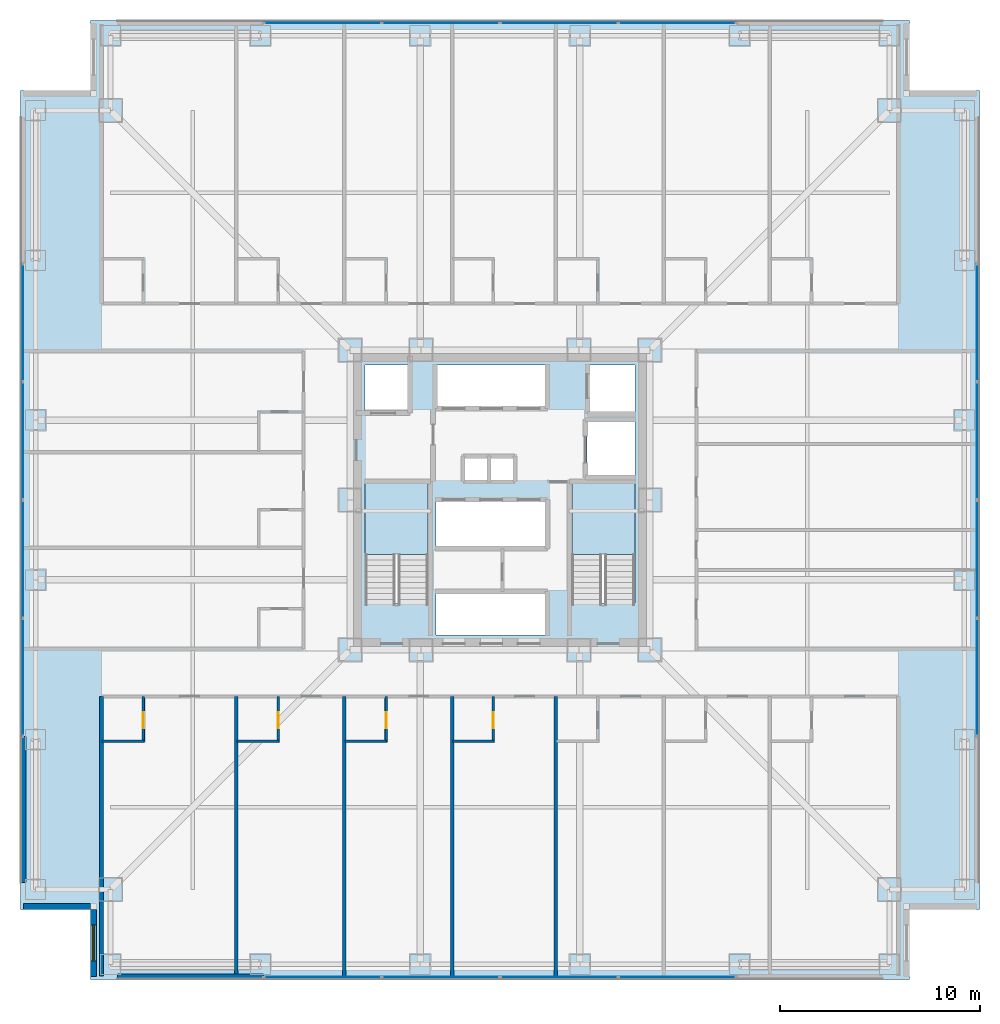
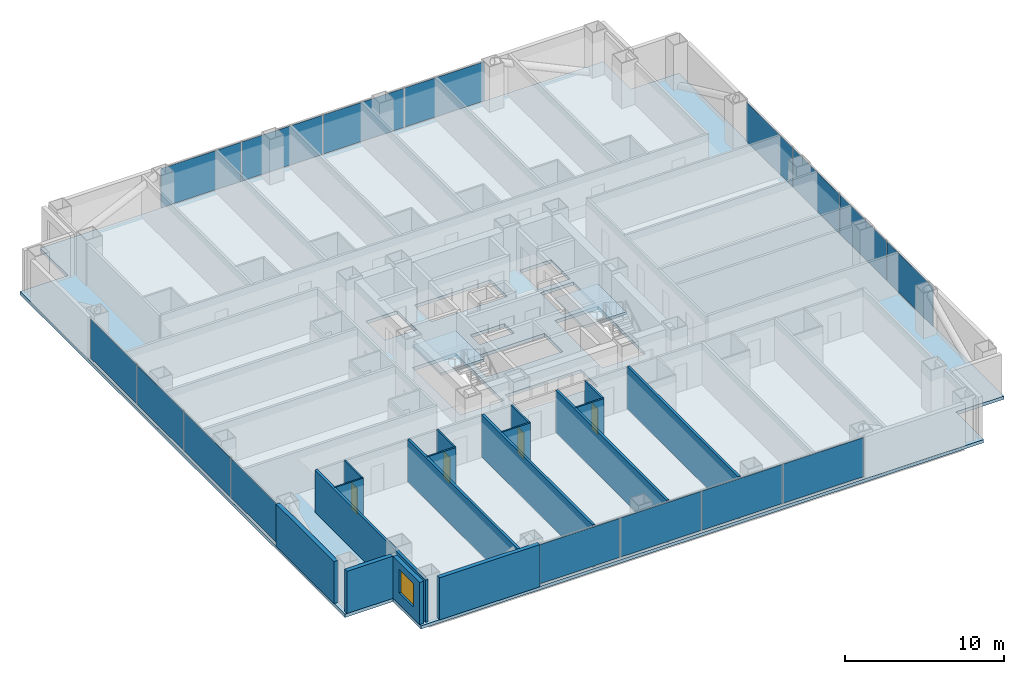
# One storey, part 16 of 23: 17 walls, 16 plates, 4 doors, 3 slabs, 1 window, 5 openings, 6 elements without a shape of their own.
"""IFC4 building model written with IfcOpenShell, lengths in metres."""

from ifc_helpers import new_model, si_unit, direction, frame, frame_2d, origin, origin_2d, place, context, subcontext, project, spatial, polyline, rectangle, outline, extrude, material, layer, layer_set, type_object, element, fill, aggregate, save


model = new_model("IFC4")

# Units and contexts
model_context = context("Model", 3, precision=1e-05, world=origin(), true_north=direction((0.0, 1.0)))
body_context = subcontext(model_context, "Body", "Model", "MODEL_VIEW")
ifc_project = project(units=[si_unit("LENGTHUNIT", "METRE"), si_unit("AREAUNIT", "SQUARE_METRE"), si_unit("VOLUMEUNIT", "CUBIC_METRE"), si_unit("PLANEANGLEUNIT", "RADIAN"), si_unit("MASSUNIT", "GRAM", prefix="KILO")], contexts=[model_context])

# Site, building, storey
site_placement = place(None, origin())
site = spatial("IfcSite", under=ifc_project, at=site_placement, CompositionType="ELEMENT")
building_placement = place(site_placement, origin())
building = spatial("IfcBuilding", under=site, at=building_placement, Name="Trevonay Congress Spire", CompositionType="ELEMENT")
storey_placement = place(building_placement, frame((0.0, 0.0, 34.0)))
storey = spatial("IfcBuildingStorey", under=building, at=storey_placement, Name="L07", CompositionType="ELEMENT", Elevation=34.0)

# Curtain wall, plates
ifc_material_1 = material(Name="Pale Anodised Aluminium EN AW-6063-T6", Category="aluminium")
ifc_layer_1 = layer(ifc_material_1, 0.179931640625, Name="Pale Anodised Aluminium EN AW-6063-T6")
ifc_layer_set_1 = layer_set([ifc_layer_1], Name="Pale Anodised Aluminium EN AW-6063-T6")
curtain_wall_type = type_object("IfcCurtainWallType", Name="CW-SYS02-HOTEL-PALE-METAL", PredefinedType="NOTDEFINED", material=ifc_layer_set_1)
curtain_wall_1_placement = place(storey_placement, origin())
curtain_wall_1 = element("IfcCurtainWall", 1, at=curtain_wall_1_placement, inside=storey, type_object=curtain_wall_type, Name="L07 S unitised curtain wall", PredefinedType="NOTDEFINED")
ifc_material_2 = material(Name="Insulated Low-E Vision Glass IGU", Category="glass")
ifc_layer_2 = layer(ifc_material_2, 0.035888671875, Name="Insulated Low-E Vision Glass IGU")
ifc_layer_set_2 = layer_set([ifc_layer_2], Name="Insulated Low-E Vision Glass IGU")
plate_type = type_object("IfcPlateType", Name="CW-PANEL-IGU36-SILVER", PredefinedType="CURTAIN_PANEL", material=ifc_layer_set_2)
plate_1_placement = place(storey_placement, frame((-8.87255859375, -23.8798828125, 0.1201171875), z_axis=(0.0, 0.0, 1.0), x_axis=(1.0, 0.0, 0.0)))
plate_1 = element("IfcPlate", 2, at=plate_1_placement, type_object=plate_type, Name="CW02 panel 1.1", PredefinedType="CURTAIN_PANEL", context=body_context, shape_type="SweptSolid", body=[
    extrude(rectangle(XDim=5.8349609375, YDim=0.035888671875, at=origin_2d()), origin(), (0.0, 0.0, 1.0), 3.010009765625),
])
plate_2_placement = place(storey_placement, frame((-2.96240234375, -23.8798828125, 0.1201171875), z_axis=(0.0, 0.0, 1.0), x_axis=(1.0, 0.0, 0.0)))
plate_2 = element("IfcPlate", 3, at=plate_2_placement, type_object=plate_type, Name="CW02 panel 2.1", PredefinedType="CURTAIN_PANEL", context=body_context, shape_type="SweptSolid", body=[
    extrude(rectangle(XDim=5.864990234375, YDim=0.035888671875, at=origin_2d()), origin(), (0.0, 0.0, 1.0), 3.010009765625),
])
plate_3_placement = place(storey_placement, frame((2.96240234375, -23.8798828125, 0.1201171875), z_axis=(0.0, 0.0, 1.0), x_axis=(1.0, 0.0, 0.0)))
plate_3 = element("IfcPlate", 4, at=plate_3_placement, type_object=plate_type, Name="CW02 panel 3.1", PredefinedType="CURTAIN_PANEL", context=body_context, shape_type="SweptSolid", body=[
    extrude(rectangle(XDim=5.864990234375, YDim=0.035888671875, at=origin_2d()), origin(), (0.0, 0.0, 1.0), 3.010009765625),
])
plate_4_placement = place(storey_placement, frame((8.87255859375, -23.8798828125, 0.1201171875), z_axis=(0.0, 0.0, 1.0), x_axis=(1.0, 0.0, 0.0)))
plate_4 = element("IfcPlate", 5, at=plate_4_placement, type_object=plate_type, Name="CW02 panel 4.1", PredefinedType="CURTAIN_PANEL", context=body_context, shape_type="SweptSolid", body=[
    extrude(rectangle(XDim=5.8349609375, YDim=0.035888671875, at=origin_2d()), origin(), (0.0, 0.0, 1.0), 3.010009765625),
])
aggregate(curtain_wall_1, [plate_1, plate_2, plate_3, plate_4])

curtain_wall_2_placement = place(storey_placement, origin())
curtain_wall_2 = element("IfcCurtainWall", 6, at=curtain_wall_2_placement, inside=storey, type_object=curtain_wall_type, Name="L07 N unitised curtain wall", PredefinedType="NOTDEFINED")
plate_5_placement = place(storey_placement, frame((-8.87255859375, 23.8798828125, 0.1201171875), z_axis=(0.0, 0.0, 1.0), x_axis=(1.0, 0.0, 0.0)))
plate_5 = element("IfcPlate", 7, at=plate_5_placement, type_object=plate_type, Name="CW02 panel 1.1", PredefinedType="CURTAIN_PANEL", context=body_context, shape_type="SweptSolid", body=[
    extrude(rectangle(XDim=5.8349609375, YDim=0.035888671875, at=origin_2d()), origin(), (0.0, 0.0, 1.0), 3.010009765625),
])
plate_6_placement = place(storey_placement, frame((-2.96240234375, 23.8798828125, 0.1201171875), z_axis=(0.0, 0.0, 1.0), x_axis=(1.0, 0.0, 0.0)))
plate_6 = element("IfcPlate", 8, at=plate_6_placement, type_object=plate_type, Name="CW02 panel 2.1", PredefinedType="CURTAIN_PANEL", context=body_context, shape_type="SweptSolid", body=[
    extrude(rectangle(XDim=5.864990234375, YDim=0.035888671875, at=origin_2d()), origin(), (0.0, 0.0, 1.0), 3.010009765625),
])
plate_7_placement = place(storey_placement, frame((2.96240234375, 23.8798828125, 0.1201171875), z_axis=(0.0, 0.0, 1.0), x_axis=(1.0, 0.0, 0.0)))
plate_7 = element("IfcPlate", 9, at=plate_7_placement, type_object=plate_type, Name="CW02 panel 3.1", PredefinedType="CURTAIN_PANEL", context=body_context, shape_type="SweptSolid", body=[
    extrude(rectangle(XDim=5.864990234375, YDim=0.035888671875, at=origin_2d()), origin(), (0.0, 0.0, 1.0), 3.010009765625),
])
plate_8_placement = place(storey_placement, frame((8.87255859375, 23.8798828125, 0.1201171875), z_axis=(0.0, 0.0, 1.0), x_axis=(1.0, 0.0, 0.0)))
plate_8 = element("IfcPlate", 10, at=plate_8_placement, type_object=plate_type, Name="CW02 panel 4.1", PredefinedType="CURTAIN_PANEL", context=body_context, shape_type="SweptSolid", body=[
    extrude(rectangle(XDim=5.8349609375, YDim=0.035888671875, at=origin_2d()), origin(), (0.0, 0.0, 1.0), 3.010009765625),
])
aggregate(curtain_wall_2, [plate_5, plate_6, plate_7, plate_8])

curtain_wall_3_placement = place(storey_placement, origin())
curtain_wall_3 = element("IfcCurtainWall", 11, at=curtain_wall_3_placement, inside=storey, type_object=curtain_wall_type, Name="L07 W unitised curtain wall", PredefinedType="NOTDEFINED")
plate_9_placement = place(storey_placement, frame((-23.8798828125, -8.87255859375, 0.1201171875), z_axis=(0.0, 0.0, 1.0), x_axis=(0.0, 1.0, 0.0)))
plate_9 = element("IfcPlate", 12, at=plate_9_placement, type_object=plate_type, Name="CW02 panel 1.1", PredefinedType="CURTAIN_PANEL", context=body_context, shape_type="SweptSolid", body=[
    extrude(rectangle(XDim=5.8349609375, YDim=0.035888671875, at=origin_2d()), origin(), (0.0, 0.0, 1.0), 3.010009765625),
])
plate_10_placement = place(storey_placement, frame((-23.8798828125, -2.96240234375, 0.1201171875), z_axis=(0.0, 0.0, 1.0), x_axis=(0.0, 1.0, 0.0)))
plate_10 = element("IfcPlate", 13, at=plate_10_placement, type_object=plate_type, Name="CW02 panel 2.1", PredefinedType="CURTAIN_PANEL", context=body_context, shape_type="SweptSolid", body=[
    extrude(rectangle(XDim=5.864990234375, YDim=0.035888671875, at=origin_2d()), origin(), (0.0, 0.0, 1.0), 3.010009765625),
])
plate_11_placement = place(storey_placement, frame((-23.8798828125, 2.96240234375, 0.1201171875), z_axis=(0.0, 0.0, 1.0), x_axis=(0.0, 1.0, 0.0)))
plate_11 = element("IfcPlate", 14, at=plate_11_placement, type_object=plate_type, Name="CW02 panel 3.1", PredefinedType="CURTAIN_PANEL", context=body_context, shape_type="SweptSolid", body=[
    extrude(rectangle(XDim=5.864990234375, YDim=0.035888671875, at=origin_2d()), origin(), (0.0, 0.0, 1.0), 3.010009765625),
])
plate_12_placement = place(storey_placement, frame((-23.8798828125, 8.87255859375, 0.1201171875), z_axis=(0.0, 0.0, 1.0), x_axis=(0.0, 1.0, 0.0)))
plate_12 = element("IfcPlate", 15, at=plate_12_placement, type_object=plate_type, Name="CW02 panel 4.1", PredefinedType="CURTAIN_PANEL", context=body_context, shape_type="SweptSolid", body=[
    extrude(rectangle(XDim=5.8349609375, YDim=0.035888671875, at=origin_2d()), origin(), (0.0, 0.0, 1.0), 3.010009765625),
])
aggregate(curtain_wall_3, [plate_9, plate_10, plate_11, plate_12])

curtain_wall_4_placement = place(storey_placement, origin())
curtain_wall_4 = element("IfcCurtainWall", 16, at=curtain_wall_4_placement, inside=storey, type_object=curtain_wall_type, Name="L07 E unitised curtain wall", PredefinedType="NOTDEFINED")
plate_13_placement = place(storey_placement, frame((23.8798828125, -8.87255859375, 0.1201171875), z_axis=(0.0, 0.0, 1.0), x_axis=(0.0, 1.0, 0.0)))
plate_13 = element("IfcPlate", 17, at=plate_13_placement, type_object=plate_type, Name="CW02 panel 1.1", PredefinedType="CURTAIN_PANEL", context=body_context, shape_type="SweptSolid", body=[
    extrude(rectangle(XDim=5.8349609375, YDim=0.035888671875, at=origin_2d()), origin(), (0.0, 0.0, 1.0), 3.010009765625),
])
plate_14_placement = place(storey_placement, frame((23.8798828125, -2.96240234375, 0.1201171875), z_axis=(0.0, 0.0, 1.0), x_axis=(0.0, 1.0, 0.0)))
plate_14 = element("IfcPlate", 18, at=plate_14_placement, type_object=plate_type, Name="CW02 panel 2.1", PredefinedType="CURTAIN_PANEL", context=body_context, shape_type="SweptSolid", body=[
    extrude(rectangle(XDim=5.864990234375, YDim=0.035888671875, at=origin_2d()), origin(), (0.0, 0.0, 1.0), 3.010009765625),
])
plate_15_placement = place(storey_placement, frame((23.8798828125, 2.96240234375, 0.1201171875), z_axis=(0.0, 0.0, 1.0), x_axis=(0.0, 1.0, 0.0)))
plate_15 = element("IfcPlate", 19, at=plate_15_placement, type_object=plate_type, Name="CW02 panel 3.1", PredefinedType="CURTAIN_PANEL", context=body_context, shape_type="SweptSolid", body=[
    extrude(rectangle(XDim=5.864990234375, YDim=0.035888671875, at=origin_2d()), origin(), (0.0, 0.0, 1.0), 3.010009765625),
])
plate_16_placement = place(storey_placement, frame((23.8798828125, 8.87255859375, 0.1201171875), z_axis=(0.0, 0.0, 1.0), x_axis=(0.0, 1.0, 0.0)))
plate_16 = element("IfcPlate", 20, at=plate_16_placement, type_object=plate_type, Name="CW02 panel 4.1", PredefinedType="CURTAIN_PANEL", context=body_context, shape_type="SweptSolid", body=[
    extrude(rectangle(XDim=5.8349609375, YDim=0.035888671875, at=origin_2d()), origin(), (0.0, 0.0, 1.0), 3.010009765625),
])
aggregate(curtain_wall_4, [plate_13, plate_14, plate_15, plate_16])

# Stair, slab
ifc_material_3 = material(Name="Concrete C40/50", Category="concrete")
stair_type_1 = type_object("IfcStairType", Name="STR-ST-1", PredefinedType="HALF_TURN_STAIR", material=ifc_material_3)
stair_1_placement = place(storey_placement, origin())
stair_1 = element("IfcStair", 21, at=stair_1_placement, inside=storey, type_object=stair_type_1, Name="L07 Protected Exit Stair ST-1", PredefinedType="HALF_TURN_STAIR")
ifc_layer_3 = layer(ifc_material_3, 0.199951171875, Name="Concrete C40/50")
ifc_layer_set_3 = layer_set([ifc_layer_3], Name="Concrete C40/50")
slab_type_1 = type_object("IfcSlabType", Name="SLB-STAIR-LAND-200", PredefinedType="LANDING", material=ifc_layer_set_3)
slab_1_placement = place(storey_placement, frame((0.0, 0.0, 1.550048828125)))
slab_1 = element("IfcSlab", 22, at=slab_1_placement, type_object=slab_type_1, Name="ST-1 landing 1", PredefinedType="LANDING", context=body_context, shape_type="SweptSolid", body=[
    extrude(outline(polyline([(-3.60009765625, -2.72998046875), (-3.60009765625, 0.85009765625), (-6.75, 0.85009765625), (-6.75, -2.72998046875), (-3.60009765625, -2.72998046875)])), origin(), (0.0, 0.0, 1.0), 0.199951171875),
])
aggregate(stair_1, [slab_1])

stair_type_2 = type_object("IfcStairType", Name="STR-ST-2", PredefinedType="HALF_TURN_STAIR", material=ifc_material_3)
stair_2_placement = place(storey_placement, origin())
stair_2 = element("IfcStair", 23, at=stair_2_placement, inside=storey, type_object=stair_type_2, Name="L07 Protected Exit Stair ST-2", PredefinedType="HALF_TURN_STAIR")
slab_2_placement = place(storey_placement, frame((0.0, 0.0, 1.550048828125)))
slab_2 = element("IfcSlab", 24, at=slab_2_placement, type_object=slab_type_1, Name="ST-2 landing 1", PredefinedType="LANDING", context=body_context, shape_type="SweptSolid", body=[
    extrude(outline(polyline([(6.75, -2.72998046875), (6.75, 0.85009765625), (3.60009765625, 0.85009765625), (3.60009765625, -2.72998046875), (6.75, -2.72998046875)])), origin(), (0.0, 0.0, 1.0), 0.199951171875),
])
aggregate(stair_2, [slab_2])

# Slab
ifc_layer_4 = layer(ifc_material_3, 0.25, Name="Concrete C40/50")
ifc_layer_set_4 = layer_set([ifc_layer_4], Name="Concrete C40/50")
slab_type_2 = type_object("IfcSlabType", Name="SLB-TOW1-250", PredefinedType="FLOOR", material=ifc_layer_set_4)
slab_3_placement = place(storey_placement, frame((0.0, 0.0, -0.25)))
element("IfcSlab", 25, at=slab_3_placement, inside=storey, type_object=slab_type_2, Name="L07 structural floor slab", PredefinedType="FLOOR", context=body_context, shape_type="SweptSolid", body=[
    extrude(outline(polyline([(-20.5, -24.0), (20.5, -24.0), (20.5, -20.5), (24.0, -20.5), (24.0, 20.5), (20.5, 20.5), (20.5, 24.0), (-20.5, 24.0), (-20.5, 20.5), (-24.0, 20.5), (-24.0, -20.5), (-20.5, -20.5), (-20.5, -24.0)]), holes=[polyline([(-3.60009765625, -5.14990234375), (-3.60009765625, 0.85009765625), (-6.75, 0.85009765625), (-6.75, -5.14990234375), (-3.60009765625, -5.14990234375)]), polyline([(6.75, -5.14990234375), (6.75, 0.85009765625), (3.60009765625, 0.85009765625), (3.60009765625, -5.14990234375), (6.75, -5.14990234375)]), polyline([(-3.199951171875, -6.75), (2.340087890625, -6.75), (2.340087890625, -4.64990234375), (-3.199951171875, -4.64990234375), (-3.199951171875, -6.75)]), polyline([(-3.199951171875, -2.35009765625), (2.340087890625, -2.35009765625), (2.340087890625, -0.050048828125), (-3.199951171875, -0.050048828125), (-3.199951171875, -2.35009765625)]), polyline([(-3.199951171875, 4.64990234375), (2.340087890625, 4.64990234375), (2.340087890625, 6.75), (-3.199951171875, 6.75), (-3.199951171875, 4.64990234375)]), polyline([(-6.75, 4.35009765625), (-4.449951171875, 4.35009765625), (-4.449951171875, 6.75), (-6.75, 6.75), (-6.75, 4.35009765625)]), polyline([(4.449951171875, 4.35009765625), (6.75, 4.35009765625), (6.75, 6.75), (4.449951171875, 6.75), (4.449951171875, 4.35009765625)]), polyline([(4.35009765625, 1.199951171875), (6.75, 1.199951171875), (6.75, 3.949951171875), (4.35009765625, 3.949951171875), (4.35009765625, 1.199951171875)]), polyline([(-1.800048828125, 0.949951171875), (0.699951171875, 0.949951171875), (0.699951171875, 2.14990234375), (-1.800048828125, 2.14990234375), (-1.800048828125, 0.949951171875)])]), origin(), (0.0, 0.0, 1.0), 0.25),
])

# Wall, opening, door
ifc_layer_5 = layer(ifc_material_3, 0.1201171875, Name="Concrete C40/50")
ifc_layer_set_5 = layer_set([ifc_layer_5], Name="Concrete C40/50")
wall_type_1 = type_object("IfcWallType", Name="WAL-BATH-120", PredefinedType="PLUMBINGWALL", material=ifc_layer_set_5)
wall_1_placement = place(storey_placement, frame((-17.85009765625, -12.080078125, 0.0), z_axis=(0.0, 0.0, 1.0), x_axis=(0.0, 1.0, 0.0)))
wall_1 = element("IfcWall", 26, at=wall_1_placement, inside=storey, type_object=wall_type_1, Name="L07 interior wall WH-L07S-BS1", PredefinedType="PLUMBINGWALL", context=body_context, shape_type="SweptSolid", body=[
    extrude(rectangle(XDim=2.25, YDim=0.1201171875, at=frame_2d((1.125, 0.0))), origin(), (0.0, 0.0, 1.0), 3.25),
])
opening_1_placement = place(wall_1_placement, frame((0.64990234375, 0.0, 0.0)))
opening_1 = element("IfcOpeningElement", 27, at=opening_1_placement, cuts=wall_1, Name="Opening D11", PredefinedType="OPENING", context=body_context, shape_type="SweptSolid", body=[
    extrude(rectangle(XDim=0.800048828125, YDim=2.050048828125, at=frame_2d((0.39990234375, 1.02490234375))), frame((0.0, 0.070068359375, 0.0), z_axis=(0.0, -1.0, 0.0), x_axis=(1.0, 0.0, 0.0)), (0.0, 0.0, 1.0), 0.14013671875),
])
door_type = type_object("IfcDoorType", Name="DOR-BATH-80", OperationType="NOTDEFINED", PredefinedType="DOOR", material=ifc_material_1)
door_1_placement = place(opening_1_placement, origin())
door_1 = element("IfcDoor", 28, at=door_1_placement, inside=storey, type_object=door_type, Name="L07 En-suite Bathroom Door", OperationType="SINGLE_SWING_LEFT", OverallHeight=2.050048828125, OverallWidth=0.800048828125, PredefinedType="DOOR", context=body_context, shape_type="SweptSolid", body=[
    extrude(rectangle(XDim=0.800048828125, YDim=2.050048828125, at=frame_2d((0.39990234375, 1.02490234375))), frame((0.0, 0.02490234375, 0.0), z_axis=(0.0, -1.0, 0.0), x_axis=(1.0, 0.0, 0.0)), (0.0, 0.0, 1.0), 0.050048828125),
])
fill(opening_1, door_1)

# Wall
wall_2_placement = place(storey_placement, frame((-19.919921875, -12.080078125, 0.0), z_axis=(0.0, 0.0, 1.0), x_axis=(1.0, 0.0, 0.0)))
element("IfcWall", 29, at=wall_2_placement, inside=storey, type_object=wall_type_1, Name="L07 interior wall WH-L07S-BF1", PredefinedType="PLUMBINGWALL", context=body_context, shape_type="SweptSolid", body=[
    extrude(rectangle(XDim=2.099853515625, YDim=0.1201171875, at=frame_2d((1.0498046875, 0.0))), origin(), (0.0, 0.0, 1.0), 3.25),
])

# Wall, opening, door
wall_3_placement = place(storey_placement, frame((-11.10009765625, -12.080078125, 0.0), z_axis=(0.0, 0.0, 1.0), x_axis=(0.0, 1.0, 0.0)))
wall_3 = element("IfcWall", 30, at=wall_3_placement, inside=storey, type_object=wall_type_1, Name="L07 interior wall WH-L07S-BS2", PredefinedType="PLUMBINGWALL", context=body_context, shape_type="SweptSolid", body=[
    extrude(rectangle(XDim=2.25, YDim=0.1201171875, at=frame_2d((1.125, 0.0))), origin(), (0.0, 0.0, 1.0), 3.25),
])
opening_2_placement = place(wall_3_placement, frame((0.64990234375, 0.0, 0.0)))
opening_2 = element("IfcOpeningElement", 31, at=opening_2_placement, cuts=wall_3, Name="Opening D11", PredefinedType="OPENING", context=body_context, shape_type="SweptSolid", body=[
    extrude(rectangle(XDim=0.800048828125, YDim=2.050048828125, at=frame_2d((0.39990234375, 1.02490234375))), frame((0.0, 0.070068359375, 0.0), z_axis=(0.0, -1.0, 0.0), x_axis=(1.0, 0.0, 0.0)), (0.0, 0.0, 1.0), 0.14013671875),
])
door_2_placement = place(opening_2_placement, origin())
door_2 = element("IfcDoor", 32, at=door_2_placement, inside=storey, type_object=door_type, Name="L07 En-suite Bathroom Door", OperationType="SINGLE_SWING_RIGHT", OverallHeight=2.050048828125, OverallWidth=0.800048828125, PredefinedType="DOOR", context=body_context, shape_type="SweptSolid", body=[
    extrude(rectangle(XDim=0.800048828125, YDim=2.050048828125, at=frame_2d((0.39990234375, 1.02490234375))), frame((0.0, 0.02490234375, 0.0), z_axis=(0.0, -1.0, 0.0), x_axis=(1.0, 0.0, 0.0)), (0.0, 0.0, 1.0), 0.050048828125),
])
fill(opening_2, door_2)

# Wall
wall_4_placement = place(storey_placement, frame((-13.169921875, -12.080078125, 0.0), z_axis=(0.0, 0.0, 1.0), x_axis=(1.0, 0.0, 0.0)))
element("IfcWall", 33, at=wall_4_placement, inside=storey, type_object=wall_type_1, Name="L07 interior wall WH-L07S-BF2", PredefinedType="PLUMBINGWALL", context=body_context, shape_type="SweptSolid", body=[
    extrude(rectangle(XDim=2.099853515625, YDim=0.1201171875, at=frame_2d((1.0498046875, 0.0))), origin(), (0.0, 0.0, 1.0), 3.25),
])

# Wall, opening, door
wall_5_placement = place(storey_placement, frame((-5.699951171875, -12.080078125, 0.0), z_axis=(0.0, 0.0, 1.0), x_axis=(0.0, 1.0, 0.0)))
wall_5 = element("IfcWall", 34, at=wall_5_placement, inside=storey, type_object=wall_type_1, Name="L07 interior wall WH-L07S-BS3", PredefinedType="PLUMBINGWALL", context=body_context, shape_type="SweptSolid", body=[
    extrude(rectangle(XDim=2.25, YDim=0.1201171875, at=frame_2d((1.125, 0.0))), origin(), (0.0, 0.0, 1.0), 3.25),
])
opening_3_placement = place(wall_5_placement, frame((0.64990234375, 0.0, 0.0)))
opening_3 = element("IfcOpeningElement", 35, at=opening_3_placement, cuts=wall_5, Name="Opening D11", PredefinedType="OPENING", context=body_context, shape_type="SweptSolid", body=[
    extrude(rectangle(XDim=0.800048828125, YDim=2.050048828125, at=frame_2d((0.39990234375, 1.02490234375))), frame((0.0, 0.070068359375, 0.0), z_axis=(0.0, -1.0, 0.0), x_axis=(1.0, 0.0, 0.0)), (0.0, 0.0, 1.0), 0.14013671875),
])
door_3_placement = place(opening_3_placement, origin())
door_3 = element("IfcDoor", 36, at=door_3_placement, inside=storey, type_object=door_type, Name="L07 En-suite Bathroom Door", OperationType="SINGLE_SWING_LEFT", OverallHeight=2.050048828125, OverallWidth=0.800048828125, PredefinedType="DOOR", context=body_context, shape_type="SweptSolid", body=[
    extrude(rectangle(XDim=0.800048828125, YDim=2.050048828125, at=frame_2d((0.39990234375, 1.02490234375))), frame((0.0, 0.02490234375, 0.0), z_axis=(0.0, -1.0, 0.0), x_axis=(1.0, 0.0, 0.0)), (0.0, 0.0, 1.0), 0.050048828125),
])
fill(opening_3, door_3)

# Wall
wall_6_placement = place(storey_placement, frame((-7.77001953125, -12.080078125, 0.0), z_axis=(0.0, 0.0, 1.0), x_axis=(1.0, 0.0, 0.0)))
element("IfcWall", 37, at=wall_6_placement, inside=storey, type_object=wall_type_1, Name="L07 interior wall WH-L07S-BF3", PredefinedType="PLUMBINGWALL", context=body_context, shape_type="SweptSolid", body=[
    extrude(rectangle(XDim=2.10009765625, YDim=0.1201171875, at=frame_2d((1.050048828125, 0.0))), origin(), (0.0, 0.0, 1.0), 3.25),
])

# Wall, opening, door
wall_7_placement = place(storey_placement, frame((-0.3349609375, -12.080078125, 0.0), z_axis=(0.0, 0.0, 1.0), x_axis=(0.0, 1.0, 0.0)))
wall_7 = element("IfcWall", 38, at=wall_7_placement, inside=storey, type_object=wall_type_1, Name="L07 interior wall WH-L07S-BS4", PredefinedType="PLUMBINGWALL", context=body_context, shape_type="SweptSolid", body=[
    extrude(rectangle(XDim=2.25, YDim=0.1201171875, at=frame_2d((1.125, 0.0))), origin(), (0.0, 0.0, 1.0), 3.25),
])
opening_4_placement = place(wall_7_placement, frame((0.64990234375, 0.0, 0.0)))
opening_4 = element("IfcOpeningElement", 39, at=opening_4_placement, cuts=wall_7, Name="Opening D11", PredefinedType="OPENING", context=body_context, shape_type="SweptSolid", body=[
    extrude(rectangle(XDim=0.800048828125, YDim=2.050048828125, at=frame_2d((0.39990234375, 1.02490234375))), frame((0.0, 0.070068359375, 0.0), z_axis=(0.0, -1.0, 0.0), x_axis=(1.0, 0.0, 0.0)), (0.0, 0.0, 1.0), 0.14013671875),
])
door_4_placement = place(opening_4_placement, origin())
door_4 = element("IfcDoor", 40, at=door_4_placement, inside=storey, type_object=door_type, Name="L07 En-suite Bathroom Door", OperationType="SINGLE_SWING_RIGHT", OverallHeight=2.050048828125, OverallWidth=0.800048828125, PredefinedType="DOOR", context=body_context, shape_type="SweptSolid", body=[
    extrude(rectangle(XDim=0.800048828125, YDim=2.050048828125, at=frame_2d((0.39990234375, 1.02490234375))), frame((0.0, 0.02490234375, 0.0), z_axis=(0.0, -1.0, 0.0), x_axis=(1.0, 0.0, 0.0)), (0.0, 0.0, 1.0), 0.050048828125),
])
fill(opening_4, door_4)

# Walls
wall_8_placement = place(storey_placement, frame((-2.3701171875, -12.080078125, 0.0), z_axis=(0.0, 0.0, 1.0), x_axis=(1.0, 0.0, 0.0)))
element("IfcWall", 41, at=wall_8_placement, inside=storey, type_object=wall_type_1, Name="L07 interior wall WH-L07S-BF4", PredefinedType="PLUMBINGWALL", context=body_context, shape_type="SweptSolid", body=[
    extrude(rectangle(XDim=2.065185546875, YDim=0.1201171875, at=frame_2d((1.03271484375, 0.0))), origin(), (0.0, 0.0, 1.0), 3.25),
])
ifc_material_4 = material(Name="Precast concrete C40/50", Category="concrete")
ifc_layer_6 = layer(ifc_material_4, 0.300048828125, Name="Precast concrete C40/50")
ifc_layer_set_6 = layer_set([ifc_layer_6], Name="Precast concrete C40/50")
wall_type_2 = type_object("IfcWallType", Name="WAL-EXT-PRECAST-300", PredefinedType="SOLIDWALL", material=ifc_layer_set_6)
for number, where, z_axis, x_axis, name in (
    (42, (-19.14990234375, -23.8798828125, 0.0), (0.0, 0.0, 1.0), (1.0, 0.0, 0.0), "L07 SL braced-bay exterior pier wall"),
    (43, (-23.8798828125, -19.14990234375, 0.0), (0.0, 0.0, 1.0), (0.0, 1.0, 0.0), "L07 WL braced-bay exterior pier wall"),
):
    element("IfcWall", number, at=place(storey_placement, frame(where, z_axis=z_axis, x_axis=x_axis)), inside=storey, type_object=wall_type_2, Name=name, PredefinedType="SOLIDWALL", context=body_context, shape_type="SweptSolid", body=[
        extrude(rectangle(XDim=7.2998046875, YDim=0.300048828125, at=frame_2d((3.64990234375, 0.0))), origin(), (0.0, 0.0, 1.0), 3.25),
    ])

# Wall, opening, window
wall_9_placement = place(storey_placement, frame((-20.35009765625, -23.85009765625, 0.0), z_axis=(0.0, 0.0, 1.0), x_axis=(0.0, 1.0, 0.0)))
wall_9 = element("IfcWall", 44, at=wall_9_placement, inside=storey, type_object=wall_type_2, Name="L07 SW re-entrant notch exterior wall 1", PredefinedType="SOLIDWALL", context=body_context, shape_type="SweptSolid", body=[
    extrude(rectangle(XDim=3.35009765625, YDim=0.300048828125, at=frame_2d((1.675048828125, 0.0))), origin(), (0.0, 0.0, 1.0), 3.25),
])
opening_5_placement = place(wall_9_placement, frame((0.77490234375, 0.0, 0.89990234375)))
opening_5 = element("IfcOpeningElement", 45, at=opening_5_placement, cuts=wall_9, Name="Opening WN01", PredefinedType="OPENING", context=body_context, shape_type="SweptSolid", body=[
    extrude(rectangle(XDim=1.800048828125, YDim=1.800048828125, at=frame_2d((0.89990234375, 0.89990234375))), frame((0.0, 0.16015625, 0.0), z_axis=(0.0, -1.0, 0.0), x_axis=(1.0, 0.0, 0.0)), (0.0, 0.0, 1.0), 0.320068359375),
])
window_type = type_object("IfcWindowType", Name="WIN-HOTEL-180X180", PartitioningType="SINGLE_PANEL", PredefinedType="WINDOW", material=ifc_material_2)
window_placement = place(opening_5_placement, origin())
window = element("IfcWindow", 46, at=window_placement, inside=storey, type_object=window_type, Name="L07 SW corner notch window", OverallHeight=1.800048828125, OverallWidth=1.800048828125, PartitioningType="SINGLE_PANEL", PredefinedType="WINDOW", context=body_context, shape_type="SweptSolid", body=[
    extrude(rectangle(XDim=1.800048828125, YDim=1.800048828125, at=frame_2d((0.89990234375, 0.89990234375))), frame((0.0, 0.030029296875, 0.0), z_axis=(0.0, -1.0, 0.0), x_axis=(1.0, 0.0, 0.0)), (0.0, 0.0, 1.0), 0.06005859375),
])
fill(opening_5, window)

# Walls
wall_10_placement = place(storey_placement, frame((-23.85009765625, -20.35009765625, 0.0), z_axis=(0.0, 0.0, 1.0), x_axis=(1.0, 0.0, 0.0)))
element("IfcWall", 47, at=wall_10_placement, inside=storey, type_object=wall_type_2, Name="L07 SW re-entrant notch exterior wall 2", PredefinedType="SOLIDWALL", context=body_context, shape_type="SweptSolid", body=[
    extrude(rectangle(XDim=3.35009765625, YDim=0.300048828125, at=frame_2d((1.675048828125, 0.0))), origin(), (0.0, 0.0, 1.0), 3.25),
])
ifc_layer_7 = layer(ifc_material_3, 0.179931640625, Name="Concrete C40/50")
ifc_layer_set_7 = layer_set([ifc_layer_7], Name="Concrete C40/50")
wall_type_3 = type_object("IfcWallType", Name="WAL-HOTEL-180", PredefinedType="PARTITIONING", material=ifc_layer_set_7)
for number, where, z_axis, x_axis, name in (
    (48, (-19.949951171875, -23.820068359375, 0.0), (0.0, 0.0, 1.0), (0.0, 1.0, 0.0), "L07 interior wall WH-L07S-DIV1"),
    (49, (-13.199951171875, -23.820068359375, 0.0), (0.0, 0.0, 1.0), (0.0, 1.0, 0.0), "L07 interior wall WH-L07S-DIV2"),
    (50, (-7.800048828125, -23.820068359375, 0.0), (0.0, 0.0, 1.0), (0.0, 1.0, 0.0), "L07 interior wall WH-L07S-DIV3"),
    (51, (-2.39990234375, -23.820068359375, 0.0), (0.0, 0.0, 1.0), (0.0, 1.0, 0.0), "L07 interior wall WH-L07S-DIV4"),
    (52, (2.800048828125, -23.820068359375, 0.0), (0.0, 0.0, 1.0), (0.0, 1.0, 0.0), "L07 interior wall WH-L07S-DIV5"),
):
    element("IfcWall", number, at=place(storey_placement, frame(where, z_axis=z_axis, x_axis=x_axis)), inside=storey, type_object=wall_type_3, Name=name, PredefinedType="PARTITIONING", context=body_context, shape_type="SweptSolid", body=[
        extrude(rectangle(XDim=13.989990234375, YDim=0.179931640625, at=frame_2d((6.9951171875, 0.0))), origin(), (0.0, 0.0, 1.0), 3.25),
    ])

save(model, "model.ifc")
